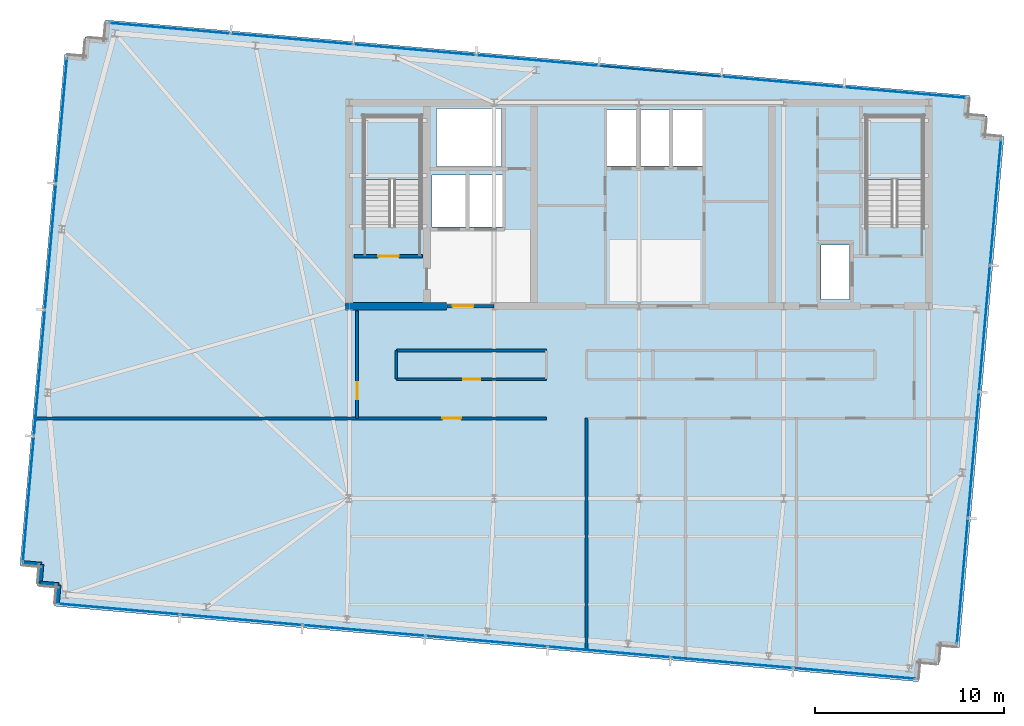
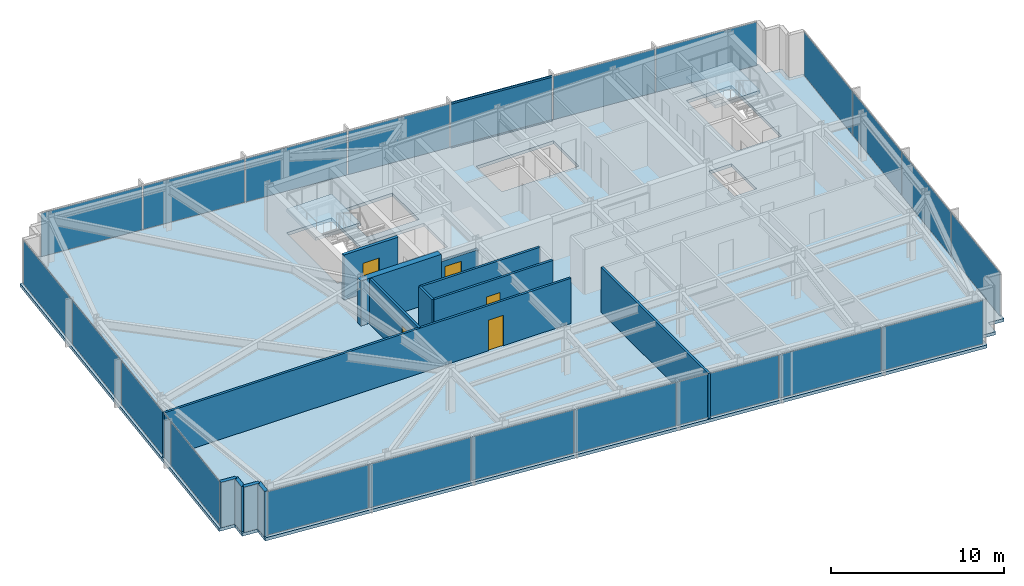
# One storey, part 26 of 32: 22 plates, 13 walls, 5 doors, 3 slabs, 2 members, 5 openings, 6 elements without a shape of their own.
"""IFC4 building model written with IfcOpenShell, lengths in metres."""

from ifc_helpers import new_model, si_unit, direction, frame, frame_2d, origin, origin_2d, place, context, subcontext, project, spatial, polyline, rectangle, hollow_rectangle, outline, extrude, material, layer, layer_set, material_profile, profile_set, type_object, element, fill, aggregate, save


model = new_model("IFC4")

# Units and contexts
model_context = context("Model", 3, precision=1e-05, world=origin(), true_north=direction((0.0, 1.0)))
body_context = subcontext(model_context, "Body", "Model", "MODEL_VIEW")
ifc_project = project(units=[si_unit("LENGTHUNIT", "METRE"), si_unit("AREAUNIT", "SQUARE_METRE"), si_unit("VOLUMEUNIT", "CUBIC_METRE"), si_unit("PLANEANGLEUNIT", "RADIAN"), si_unit("MASSUNIT", "GRAM", prefix="KILO")], contexts=[model_context])

# Site, building, storey
site_placement = place(None, origin())
site = spatial("IfcSite", under=ifc_project, at=site_placement, CompositionType="ELEMENT")
building_placement = place(site_placement, origin())
building = spatial("IfcBuilding", under=site, at=building_placement, Name="Yelkora Congress Tower", CompositionType="ELEMENT")
storey_placement = place(building_placement, frame((0.0, 0.0, 293.10009765625)))
storey = spatial("IfcBuildingStorey", under=building, at=storey_placement, Name="L82", CompositionType="ELEMENT", Elevation=293.10009765625)

# Curtain wall, members
ifc_material_1 = material(Name="Anodised aluminium and insulated glass", Category="aluminium")
curtain_wall_type = type_object("IfcCurtainWallType", Name="CW-SYS-B5", PredefinedType="NOTDEFINED", material=ifc_material_1)
curtain_wall_1_placement = place(storey_placement, origin())
curtain_wall_1 = element("IfcCurtainWall", 1, at=curtain_wall_1_placement, inside=storey, type_object=curtain_wall_type, Name="L82 Unitised Curtain Wall 10", PredefinedType="NOTDEFINED")
ifc_material_2 = material(Name="Anodised aluminium 6063-T6", Category="aluminium")
ifc_material_profile = material_profile(ifc_material_2, hollow_rectangle(XDim=0.06005859375, YDim=0.1298828125, WallThickness=0.00390625, at=origin_2d()), Name="ALU 60x130x4")
ifc_profile_set = profile_set([ifc_material_profile], Name="Anodised aluminium 6063-T6")
member_type = type_object("IfcMemberType", Name="MEM-TR-B5", PredefinedType="USERDEFINED", material=ifc_profile_set)
member_1_placement = place(storey_placement, frame((36.298583984375, 48.14794921875, 0.02978515625), z_axis=(0.996192979814, -0.08717538052, 0.0), x_axis=(0.08717538052, 0.996192979814, 0.0)))
member_1 = element("IfcMember", 2, at=member_1_placement, type_object=member_type, Name="CW-B5 transom 5.1", ObjectType="TRANSOM", PredefinedType="USERDEFINED", context=body_context, shape_type="SweptSolid", body=[
    extrude(hollow_rectangle(XDim=0.06005859375, YDim=0.1298828125, WallThickness=0.00390625, at=origin_2d()), origin(), (0.0, 0.0, 1.0), 6.466552734375),
])
member_2_placement = place(storey_placement, frame((36.298583984375, 48.14794921875, 3.14990234375), z_axis=(0.996192979814, -0.08717538052, 0.0), x_axis=(0.08717538052, 0.996192979814, 0.0)))
member_2 = element("IfcMember", 3, at=member_2_placement, type_object=member_type, Name="CW-B5 transom 5.2", ObjectType="TRANSOM", PredefinedType="USERDEFINED", context=body_context, shape_type="SweptSolid", body=[
    extrude(hollow_rectangle(XDim=0.06005859375, YDim=0.1298828125, WallThickness=0.00390625, at=origin_2d()), origin(), (0.0, 0.0, 1.0), 6.466552734375),
])

# Curtain wall, plates
curtain_wall_2_placement = place(storey_placement, origin())
curtain_wall_2 = element("IfcCurtainWall", 4, at=curtain_wall_2_placement, inside=storey, type_object=curtain_wall_type, Name="L82 Unitised Curtain Wall 5", PredefinedType="NOTDEFINED")
ifc_material_3 = material(Name="High-altitude triple glazed unit B5", Category="glass")
ifc_layer_1 = layer(ifc_material_3, 0.033935546875)
ifc_layer_set_1 = layer_set([ifc_layer_1], Name="High-altitude triple glazed unit B5")
plate_type = type_object("IfcPlateType", Name="PLT-PN-B5", PredefinedType="CURTAIN_PANEL", material=ifc_layer_set_1)
plate_1_placement = place(storey_placement, frame((6.021728515625, 25.16064453125, 0.059814453125), z_axis=(0.0, 0.0, 1.0), x_axis=(0.08715473876, 0.996194785929, 0.0)))
plate_1 = element("IfcPlate", 5, at=plate_1_placement, type_object=plate_type, Name="CW-B5 panel 1.1", PredefinedType="CURTAIN_PANEL", context=body_context, shape_type="SweptSolid", body=[
    extrude(rectangle(XDim=6.632568359375, YDim=0.033935546875, at=origin_2d()), origin(), (0.0, 0.0, 1.0), 3.06005859375),
])
plate_2_placement = place(storey_placement, frame((6.60693359375, 31.848876953125, 0.059814453125), z_axis=(0.0, 0.0, 1.0), x_axis=(0.08715473876, 0.996194785929, 0.0)))
plate_2 = element("IfcPlate", 6, at=plate_2_placement, type_object=plate_type, Name="CW-B5 panel 2.1", PredefinedType="CURTAIN_PANEL", context=body_context, shape_type="SweptSolid", body=[
    extrude(rectangle(XDim=6.6650390625, YDim=0.033935546875, at=origin_2d()), origin(), (0.0, 0.0, 1.0), 3.06005859375),
])
plate_3_placement = place(storey_placement, frame((7.193359375, 38.55322265625, 0.059814453125), z_axis=(0.0, 0.0, 1.0), x_axis=(0.08715473876, 0.996194785929, 0.0)))
plate_3 = element("IfcPlate", 7, at=plate_3_placement, type_object=plate_type, Name="CW-B5 panel 3.1", PredefinedType="CURTAIN_PANEL", context=body_context, shape_type="SweptSolid", body=[
    extrude(rectangle(XDim=6.6650390625, YDim=0.033935546875, at=origin_2d()), origin(), (0.0, 0.0, 1.0), 3.06005859375),
])
plate_4_placement = place(storey_placement, frame((7.778564453125, 45.2412109375, 0.059814453125), z_axis=(0.0, 0.0, 1.0), x_axis=(0.08715473876, 0.996194785929, 0.0)))
plate_4 = element("IfcPlate", 8, at=plate_4_placement, type_object=plate_type, Name="CW-B5 panel 4.1", PredefinedType="CURTAIN_PANEL", context=body_context, shape_type="SweptSolid", body=[
    extrude(rectangle(XDim=6.632568359375, YDim=0.033935546875, at=origin_2d()), origin(), (0.0, 0.0, 1.0), 3.06005859375),
])
aggregate(curtain_wall_2, [plate_1, plate_2, plate_3, plate_4])

# Plate
plate_5_placement = place(storey_placement, frame((13.509521484375, 50.141845703125, 0.059814453125), z_axis=(0.0, 0.0, 1.0), x_axis=(0.996194619601, -0.087156639893, 0.0)))
plate_5 = element("IfcPlate", 9, at=plate_5_placement, type_object=plate_type, Name="CW-B5 panel 1.1", PredefinedType="CURTAIN_PANEL", context=body_context, shape_type="SweptSolid", body=[
    extrude(rectangle(XDim=6.433837890625, YDim=0.033935546875, at=origin_2d()), origin(), (0.0, 0.0, 1.0), 3.06005859375),
])

plate_6_placement = place(storey_placement, frame((19.999755859375, 49.573974609375, 0.059814453125), z_axis=(0.0, 0.0, 1.0), x_axis=(0.996194619601, -0.087156639893, 0.0)))
plate_6 = element("IfcPlate", 10, at=plate_6_placement, type_object=plate_type, Name="CW-B5 panel 2.1", PredefinedType="CURTAIN_PANEL", context=body_context, shape_type="SweptSolid", body=[
    extrude(rectangle(XDim=6.46630859375, YDim=0.033935546875, at=origin_2d()), origin(), (0.0, 0.0, 1.0), 3.06005859375),
])

plate_7_placement = place(storey_placement, frame((26.50634765625, 49.004638671875, 0.059814453125), z_axis=(0.0, 0.0, 1.0), x_axis=(0.996194619601, -0.087156639893, 0.0)))
plate_7 = element("IfcPlate", 11, at=plate_7_placement, type_object=plate_type, Name="CW-B5 panel 3.1", PredefinedType="CURTAIN_PANEL", context=body_context, shape_type="SweptSolid", body=[
    extrude(rectangle(XDim=6.46630859375, YDim=0.033935546875, at=origin_2d()), origin(), (0.0, 0.0, 1.0), 3.06005859375),
])

plate_8_placement = place(storey_placement, frame((33.012939453125, 48.435302734375, 0.059814453125), z_axis=(0.0, 0.0, 1.0), x_axis=(0.996194619601, -0.087156639893, 0.0)))
plate_8 = element("IfcPlate", 12, at=plate_8_placement, type_object=plate_type, Name="CW-B5 panel 4.1", PredefinedType="CURTAIN_PANEL", context=body_context, shape_type="SweptSolid", body=[
    extrude(rectangle(XDim=6.46630859375, YDim=0.033935546875, at=origin_2d()), origin(), (0.0, 0.0, 1.0), 3.06005859375),
])

plate_9_placement = place(storey_placement, frame((39.51953125, 47.8662109375, 0.059814453125), z_axis=(0.0, 0.0, 1.0), x_axis=(0.996194619601, -0.087156639893, 0.0)))
plate_9 = element("IfcPlate", 13, at=plate_9_placement, type_object=plate_type, Name="CW-B5 panel 5.1", PredefinedType="CURTAIN_PANEL", context=body_context, shape_type="SweptSolid", body=[
    extrude(rectangle(XDim=6.46630859375, YDim=0.033935546875, at=origin_2d()), origin(), (0.0, 0.0, 1.0), 3.06005859375),
])

plate_10_placement = place(storey_placement, frame((46.026123046875, 47.296875, 0.059814453125), z_axis=(0.0, 0.0, 1.0), x_axis=(0.996194619601, -0.087156639893, 0.0)))
plate_10 = element("IfcPlate", 14, at=plate_10_placement, type_object=plate_type, Name="CW-B5 panel 6.1", PredefinedType="CURTAIN_PANEL", context=body_context, shape_type="SweptSolid", body=[
    extrude(rectangle(XDim=6.46630859375, YDim=0.033935546875, at=origin_2d()), origin(), (0.0, 0.0, 1.0), 3.06005859375),
])

plate_11_placement = place(storey_placement, frame((52.5166015625, 46.72900390625, 0.059814453125), z_axis=(0.0, 0.0, 1.0), x_axis=(0.996194619601, -0.087156639893, 0.0)))
plate_11 = element("IfcPlate", 15, at=plate_11_placement, type_object=plate_type, Name="CW-B5 panel 7.1", PredefinedType="CURTAIN_PANEL", context=body_context, shape_type="SweptSolid", body=[
    extrude(rectangle(XDim=6.433837890625, YDim=0.033935546875, at=origin_2d()), origin(), (0.0, 0.0, 1.0), 3.06005859375),
])

aggregate(curtain_wall_1, [plate_5, plate_6, plate_7, plate_8, member_1, member_2, plate_9, plate_10, plate_11])

# Curtain wall, plates
curtain_wall_3_placement = place(storey_placement, origin())
curtain_wall_3 = element("IfcCurtainWall", 16, at=curtain_wall_3_placement, inside=storey, type_object=curtain_wall_type, Name="L82 Unitised Curtain Wall 15", PredefinedType="NOTDEFINED")
plate_12_placement = place(storey_placement, frame((57.309326171875, 40.907958984375, 0.059814453125), z_axis=(0.0, 0.0, 1.0), x_axis=(-0.087158425264, -0.996194463398, 0.0)))
plate_12 = element("IfcPlate", 17, at=plate_12_placement, type_object=plate_type, Name="CW-B5 panel 1.1", PredefinedType="CURTAIN_PANEL", context=body_context, shape_type="SweptSolid", body=[
    extrude(rectangle(XDim=6.632568359375, YDim=0.033935546875, at=origin_2d()), origin(), (0.0, 0.0, 1.0), 3.06005859375),
])
plate_13_placement = place(storey_placement, frame((56.72412109375, 34.2197265625, 0.059814453125), z_axis=(0.0, 0.0, 1.0), x_axis=(-0.087158425264, -0.996194463398, 0.0)))
plate_13 = element("IfcPlate", 18, at=plate_13_placement, type_object=plate_type, Name="CW-B5 panel 2.1", PredefinedType="CURTAIN_PANEL", context=body_context, shape_type="SweptSolid", body=[
    extrude(rectangle(XDim=6.6650390625, YDim=0.033935546875, at=origin_2d()), origin(), (0.0, 0.0, 1.0), 3.06005859375),
])
plate_14_placement = place(storey_placement, frame((56.1376953125, 27.515380859375, 0.059814453125), z_axis=(0.0, 0.0, 1.0), x_axis=(-0.087158425264, -0.996194463398, 0.0)))
plate_14 = element("IfcPlate", 19, at=plate_14_placement, type_object=plate_type, Name="CW-B5 panel 3.1", PredefinedType="CURTAIN_PANEL", context=body_context, shape_type="SweptSolid", body=[
    extrude(rectangle(XDim=6.6650390625, YDim=0.033935546875, at=origin_2d()), origin(), (0.0, 0.0, 1.0), 3.06005859375),
])
plate_15_placement = place(storey_placement, frame((55.552490234375, 20.8271484375, 0.059814453125), z_axis=(0.0, 0.0, 1.0), x_axis=(-0.087158425264, -0.996194463398, 0.0)))
plate_15 = element("IfcPlate", 20, at=plate_15_placement, type_object=plate_type, Name="CW-B5 panel 4.1", PredefinedType="CURTAIN_PANEL", context=body_context, shape_type="SweptSolid", body=[
    extrude(rectangle(XDim=6.632568359375, YDim=0.033935546875, at=origin_2d()), origin(), (0.0, 0.0, 1.0), 3.06005859375),
])
aggregate(curtain_wall_3, [plate_12, plate_13, plate_14, plate_15])

curtain_wall_4_placement = place(storey_placement, origin())
curtain_wall_4 = element("IfcCurtainWall", 21, at=curtain_wall_4_placement, inside=storey, type_object=curtain_wall_type, Name="L82 Unitised Curtain Wall 20", PredefinedType="NOTDEFINED")
plate_16_placement = place(storey_placement, frame((49.821533203125, 15.9267578125, 0.059814453125), z_axis=(0.0, 0.0, 1.0), x_axis=(-0.996194602987, 0.087156829793, 0.0)))
plate_16 = element("IfcPlate", 22, at=plate_16_placement, type_object=plate_type, Name="CW-B5 panel 1.1", PredefinedType="CURTAIN_PANEL", context=body_context, shape_type="SweptSolid", body=[
    extrude(rectangle(XDim=6.433837890625, YDim=0.033935546875, at=origin_2d()), origin(), (0.0, 0.0, 1.0), 3.06005859375),
])
plate_17_placement = place(storey_placement, frame((43.331298828125, 16.49462890625, 0.059814453125), z_axis=(0.0, 0.0, 1.0), x_axis=(-0.996194602987, 0.087156829793, 0.0)))
plate_17 = element("IfcPlate", 23, at=plate_17_placement, type_object=plate_type, Name="CW-B5 panel 2.1", PredefinedType="CURTAIN_PANEL", context=body_context, shape_type="SweptSolid", body=[
    extrude(rectangle(XDim=6.46630859375, YDim=0.033935546875, at=origin_2d()), origin(), (0.0, 0.0, 1.0), 3.06005859375),
])
plate_18_placement = place(storey_placement, frame((36.82470703125, 17.06396484375, 0.059814453125), z_axis=(0.0, 0.0, 1.0), x_axis=(-0.996194602987, 0.087156829793, 0.0)))
plate_18 = element("IfcPlate", 24, at=plate_18_placement, type_object=plate_type, Name="CW-B5 panel 3.1", PredefinedType="CURTAIN_PANEL", context=body_context, shape_type="SweptSolid", body=[
    extrude(rectangle(XDim=6.46630859375, YDim=0.033935546875, at=origin_2d()), origin(), (0.0, 0.0, 1.0), 3.06005859375),
])
plate_19_placement = place(storey_placement, frame((30.318115234375, 17.633056640625, 0.059814453125), z_axis=(0.0, 0.0, 1.0), x_axis=(-0.996194602987, 0.087156829793, 0.0)))
plate_19 = element("IfcPlate", 25, at=plate_19_placement, type_object=plate_type, Name="CW-B5 panel 4.1", PredefinedType="CURTAIN_PANEL", context=body_context, shape_type="SweptSolid", body=[
    extrude(rectangle(XDim=6.46630859375, YDim=0.033935546875, at=origin_2d()), origin(), (0.0, 0.0, 1.0), 3.06005859375),
])
plate_20_placement = place(storey_placement, frame((23.8115234375, 18.202392578125, 0.059814453125), z_axis=(0.0, 0.0, 1.0), x_axis=(-0.996194602987, 0.087156829793, 0.0)))
plate_20 = element("IfcPlate", 26, at=plate_20_placement, type_object=plate_type, Name="CW-B5 panel 5.1", PredefinedType="CURTAIN_PANEL", context=body_context, shape_type="SweptSolid", body=[
    extrude(rectangle(XDim=6.46630859375, YDim=0.033935546875, at=origin_2d()), origin(), (0.0, 0.0, 1.0), 3.06005859375),
])
plate_21_placement = place(storey_placement, frame((17.304931640625, 18.771728515625, 0.059814453125), z_axis=(0.0, 0.0, 1.0), x_axis=(-0.996194602987, 0.087156829793, 0.0)))
plate_21 = element("IfcPlate", 27, at=plate_21_placement, type_object=plate_type, Name="CW-B5 panel 6.1", PredefinedType="CURTAIN_PANEL", context=body_context, shape_type="SweptSolid", body=[
    extrude(rectangle(XDim=6.46630859375, YDim=0.033935546875, at=origin_2d()), origin(), (0.0, 0.0, 1.0), 3.06005859375),
])
plate_22_placement = place(storey_placement, frame((10.814697265625, 19.33935546875, 0.059814453125), z_axis=(0.0, 0.0, 1.0), x_axis=(-0.996194602987, 0.087156829793, 0.0)))
plate_22 = element("IfcPlate", 28, at=plate_22_placement, type_object=plate_type, Name="CW-B5 panel 7.1", PredefinedType="CURTAIN_PANEL", context=body_context, shape_type="SweptSolid", body=[
    extrude(rectangle(XDim=6.433837890625, YDim=0.033935546875, at=origin_2d()), origin(), (0.0, 0.0, 1.0), 3.06005859375),
])
aggregate(curtain_wall_4, [plate_16, plate_17, plate_18, plate_19, plate_20, plate_21, plate_22])

# Stair, slab
ifc_material_4 = material(Name="Concrete C40/50", Category="concrete")
stair_type = type_object("IfcStairType", Name="STAIR-HT-1420-R20-170", PredefinedType="HALF_TURN_STAIR", material=ifc_material_4)
stair_1_placement = place(storey_placement, origin())
stair_1 = element("IfcStair", 29, at=stair_1_placement, inside=storey, type_object=stair_type, Name="West Core Protected Exit Stair ST-01 (L82)", PredefinedType="HALF_TURN_STAIR")
ifc_layer_2 = layer(ifc_material_4, 0.219970703125)
ifc_layer_set_2 = layer_set([ifc_layer_2], Name="Concrete C40/50")
slab_type_1 = type_object("IfcSlabType", Name="SLAB-LANDING-220", PredefinedType="LANDING", material=ifc_layer_set_2)
slab_1_placement = place(storey_placement, frame((0.0, 0.0, 1.47998046875)))
slab_1 = element("IfcSlab", 30, at=slab_1_placement, type_object=slab_type_1, Name="ST-01 L82 Half Landing 1", PredefinedType="LANDING", context=body_context, shape_type="SweptSolid", body=[
    extrude(outline(polyline([(26.820068359375, 42.1201171875), (26.820068359375, 45.469970703125), (23.820068359375, 45.469970703125), (23.820068359375, 42.1201171875), (26.820068359375, 42.1201171875)])), origin(), (0.0, 0.0, 1.0), 0.219970703125),
])
aggregate(stair_1, [slab_1])

stair_2_placement = place(storey_placement, origin())
stair_2 = element("IfcStair", 31, at=stair_2_placement, inside=storey, type_object=stair_type, Name="East Core Protected Exit Stair ST-02 (L82)", PredefinedType="HALF_TURN_STAIR")
slab_2_placement = place(storey_placement, frame((0.0, 0.0, 1.47998046875)))
slab_2 = element("IfcSlab", 32, at=slab_2_placement, type_object=slab_type_1, Name="ST-02 L82 Half Landing 1", PredefinedType="LANDING", context=body_context, shape_type="SweptSolid", body=[
    extrude(outline(polyline([(53.4599609375, 42.1201171875), (53.4599609375, 45.469970703125), (50.4599609375, 45.469970703125), (50.4599609375, 42.1201171875), (53.4599609375, 42.1201171875)])), origin(), (0.0, 0.0, 1.0), 0.219970703125),
])
aggregate(stair_2, [slab_2])

# Slab
ifc_layer_3 = layer(ifc_material_4, 0.219970703125)
ifc_layer_set_3 = layer_set([ifc_layer_3], Name="Concrete C40/50")
slab_type_2 = type_object("IfcSlabType", Name="SLAB-TWR-220", PredefinedType="FLOOR", material=ifc_layer_set_3)
slab_3_placement = place(storey_placement, frame((0.0, 0.0, -0.22021484375)))
element("IfcSlab", 33, at=slab_3_placement, inside=storey, type_object=slab_type_2, Name="L82 Structural Floor Slab", PredefinedType="FLOOR", context=body_context, shape_type="SweptSolid", body=[
    extrude(outline(polyline([(7.3935546875, 19.498291015625), (53.218505859375, 15.489013671875), (53.3056640625, 16.485107421875), (54.3017578125, 16.398193359375), (54.388916015625, 17.394287109375), (55.385009765625, 17.30712890625), (57.755859375, 44.403564453125), (56.759521484375, 44.49072265625), (56.8466796875, 45.487060546875), (55.8505859375, 45.57421875), (55.937744140625, 46.5703125), (10.11279296875, 50.57958984375), (10.025634765625, 49.583251953125), (9.029296875, 49.67041015625), (8.942138671875, 48.67431640625), (7.946044921875, 48.761474609375), (5.575439453125, 21.664794921875), (6.571533203125, 21.57763671875), (6.484619140625, 20.58154296875), (7.480712890625, 20.494384765625), (7.3935546875, 19.498291015625)]), holes=[polyline([(23.820068359375, 39.6298828125), (26.820068359375, 39.6298828125), (26.820068359375, 45.469970703125), (23.820068359375, 45.469970703125), (23.820068359375, 39.6298828125)]), polyline([(50.4599609375, 39.6298828125), (53.4599609375, 39.6298828125), (53.4599609375, 45.469970703125), (50.4599609375, 45.469970703125), (50.4599609375, 39.6298828125)]), polyline([(48.050048828125, 35.75), (49.550048828125, 35.75), (49.550048828125, 38.64990234375), (48.050048828125, 38.64990234375), (48.050048828125, 35.75)]), polyline([(36.64990234375, 42.85009765625), (41.800048828125, 42.85009765625), (41.800048828125, 45.800048828125), (36.64990234375, 45.800048828125), (36.64990234375, 42.85009765625)]), polyline([(27.419921875, 39.60009765625), (31.179931640625, 39.60009765625), (31.179931640625, 42.35009765625), (27.419921875, 42.35009765625), (27.419921875, 39.60009765625)]), polyline([(27.64990234375, 42.820068359375), (31.1201171875, 42.820068359375), (31.1201171875, 45.8798828125), (27.64990234375, 45.8798828125), (27.64990234375, 42.820068359375)])]), origin(), (0.0, 0.0, 1.0), 0.22021484375),
])

# Walls
ifc_material_5 = material(Name="Concrete C50/60", Category="concrete")
ifc_layer_4 = layer(ifc_material_5, 0.39990234375)
ifc_layer_set_4 = layer_set([ifc_layer_4], Name="Concrete C50/60")
wall_type_1 = type_object("IfcWallType", Name="WALL-CORE-INT-400", PredefinedType="SHEAR", material=ifc_layer_set_4)
wall_1_placement = place(storey_placement, frame((22.840087890625, 35.39990234375, 0.0), z_axis=(0.0, 0.0, 1.0), x_axis=(1.0, 0.0, 0.0)))
element("IfcWall", 34, at=wall_1_placement, inside=storey, type_object=wall_type_1, Name="L82 Rear Core South-West Shear Wall", PredefinedType="SHEAR", context=body_context, shape_type="SweptSolid", body=[
    extrude(rectangle(XDim=5.35986328125, YDim=0.39990234375, at=frame_2d((2.679931640625, 0.0))), origin(), (0.0, 0.0, 1.0), 3.179931640625),
])
ifc_layer_5 = layer(ifc_material_4, 0.239990234375)
ifc_layer_set_5 = layer_set([ifc_layer_5], Name="Concrete C40/50")
wall_type_2 = type_object("IfcWallType", Name="WALL-EXT-LIMESTONE-240", PredefinedType="SOLIDWALL", material=ifc_layer_set_5)
for number, where, z_axis, x_axis, name in (
    (35, (7.545166015625, 19.62548828125, 0.0), (0.0, 0.0, 1.0), (0.087166950281, 0.996193717496, 0.0), "L82 Serrated Corner Limestone Pier 1"),
    (36, (7.63232421875, 20.62158203125, 0.0), (0.0, 0.0, 1.0), (-0.996193717496, 0.087166950281, 0.0), "L82 Serrated Corner Limestone Pier 2"),
):
    element("IfcWall", number, at=place(storey_placement, frame(where, z_axis=z_axis, x_axis=x_axis)), inside=storey, type_object=wall_type_2, Name=name, PredefinedType="SOLIDWALL", context=body_context, shape_type="SweptSolid", body=[
        extrude(rectangle(XDim=1.0, YDim=0.239990234375, at=frame_2d((0.5, 0.0))), origin(), (0.0, 0.0, 1.0), 3.179931640625),
    ])
for number, where, z_axis, x_axis, name in (
    (37, (6.63623046875, 20.708740234375, 0.0), (0.0, 0.0, 1.0), (0.087145753297, 0.996195572005, 0.0), "L82 Serrated Corner Limestone Pier 3"),
    (38, (6.723388671875, 21.705078125, 0.0), (0.0, 0.0, 1.0), (-0.996195572005, 0.087145753297, 0.0), "L82 Serrated Corner Limestone Pier 4"),
):
    element("IfcWall", number, at=place(storey_placement, frame(where, z_axis=z_axis, x_axis=x_axis)), inside=storey, type_object=wall_type_2, Name=name, PredefinedType="SOLIDWALL", context=body_context, shape_type="SweptSolid", body=[
        extrude(rectangle(XDim=1.000244140625, YDim=0.239990234375, at=frame_2d((0.5, 0.0))), origin(), (0.0, 0.0, 1.0), 3.179931640625),
    ])
ifc_material_6 = material(Name="Acoustic metal-stud gypsum partition", Category="gypsum")
ifc_layer_6 = layer(ifc_material_6, 0.14990234375)
ifc_layer_set_6 = layer_set([ifc_layer_6], Name="Acoustic metal-stud gypsum partition")
wall_type_3 = type_object("IfcWallType", Name="WALL-INT-150-NR", PredefinedType="PARTITIONING", material=ifc_layer_set_6)
wall_2_placement = place(storey_placement, frame((35.6201171875, 17.10888671875, 0.0), z_axis=(0.0, 0.0, 1.0), x_axis=(0.0, 1.0, 0.0)))
element("IfcWall", 39, at=wall_2_placement, inside=storey, type_object=wall_type_3, Name="L82 Partition Wall 24", PredefinedType="PARTITIONING", context=body_context, shape_type="SweptSolid", body=[
    extrude(rectangle(XDim=12.361083984375, YDim=0.14990234375, at=frame_2d((6.1806640625, 0.0))), origin(), (0.0, 0.0, 1.0), 3.179931640625),
])

# Wall, opening, door
wall_3_placement = place(storey_placement, frame((6.3369140625, 29.449951171875, 0.0), z_axis=(0.0, 0.0, 1.0), x_axis=(1.0, 0.0, 0.0)))
wall_3 = element("IfcWall", 40, at=wall_3_placement, inside=storey, type_object=wall_type_3, Name="L82 South Spine Wall West", PredefinedType="PARTITIONING", context=body_context, shape_type="SweptSolid", body=[
    extrude(rectangle(XDim=27.1630859375, YDim=0.14990234375, at=frame_2d((13.58154296875, 0.0))), origin(), (0.0, 0.0, 1.0), 3.179931640625),
])
opening_1_placement = place(wall_3_placement, frame((21.63330078125, 0.0, 0.0)))
opening_1 = element("IfcOpeningElement", 41, at=opening_1_placement, cuts=wall_3, Name="Opening DR-100N", PredefinedType="OPENING", context=body_context, shape_type="SweptSolid", body=[
    extrude(rectangle(XDim=1.0, YDim=2.14990234375, at=frame_2d((0.5, 1.074951171875))), frame((0.0, 0.0849609375, 0.0), z_axis=(0.0, -1.0, 0.0), x_axis=(1.0, 0.0, 0.0)), (0.0, 0.0, 1.0), 0.169921875),
])
ifc_material_7 = material(Name="Solid-core Anatolian oak veneer door", Category="wood")
door_type_1 = type_object("IfcDoorType", Name="DOOR-INT-1000", OperationType="NOTDEFINED", PredefinedType="DOOR", material=ifc_material_7)
door_1_placement = place(opening_1_placement, origin())
door_1 = element("IfcDoor", 42, at=door_1_placement, inside=storey, type_object=door_type_1, Name="L82 Observation Sky Gallery Door", OperationType="SINGLE_SWING_LEFT", OverallHeight=2.14990234375, OverallWidth=1.0, PredefinedType="DOOR", context=body_context, shape_type="SweptSolid", body=[
    extrude(rectangle(XDim=1.0, YDim=2.14990234375, at=frame_2d((0.5, 1.074951171875))), frame((0.0, 0.02490234375, 0.0), z_axis=(0.0, -1.0, 0.0), x_axis=(1.0, 0.0, 0.0)), (0.0, 0.0, 1.0), 0.050048828125),
])
fill(opening_1, door_1)

wall_4_placement = place(storey_placement, frame((23.449951171875, 29.449951171875, 0.0), z_axis=(0.0, 0.0, 1.0), x_axis=(0.0, 1.0, 0.0)))
wall_4 = element("IfcWall", 43, at=wall_4_placement, inside=storey, type_object=wall_type_3, Name="L82 Partition Wall 29", PredefinedType="PARTITIONING", context=body_context, shape_type="SweptSolid", body=[
    extrude(rectangle(XDim=5.68994140625, YDim=0.14990234375, at=frame_2d((2.844970703125, 0.0))), origin(), (0.0, 0.0, 1.0), 3.179931640625),
])
opening_2_placement = place(wall_4_placement, frame((1.030029296875, 0.0, 0.0)))
opening_2 = element("IfcOpeningElement", 44, at=opening_2_placement, cuts=wall_4, Name="Opening DR-090N", PredefinedType="OPENING", context=body_context, shape_type="SweptSolid", body=[
    extrude(rectangle(XDim=0.89990234375, YDim=2.14990234375, at=frame_2d((0.449951171875, 1.074951171875))), frame((0.0, 0.0849609375, 0.0), z_axis=(0.0, -1.0, 0.0), x_axis=(1.0, 0.0, 0.0)), (0.0, 0.0, 1.0), 0.169921875),
])
ifc_material_8 = material(Name="Moisture-resistant laminate door leaf", Category="wood")
door_type_2 = type_object("IfcDoorType", Name="DOOR-INT-900", OperationType="NOTDEFINED", PredefinedType="DOOR", material=ifc_material_8)
door_2_placement = place(opening_2_placement, origin())
door_2 = element("IfcDoor", 45, at=door_2_placement, inside=storey, type_object=door_type_2, Name="L82 W Wing Door", OperationType="SINGLE_SWING_LEFT", OverallHeight=2.14990234375, OverallWidth=0.89990234375, PredefinedType="DOOR", context=body_context, shape_type="SweptSolid", body=[
    extrude(rectangle(XDim=0.89990234375, YDim=2.14990234375, at=frame_2d((0.449951171875, 1.074951171875))), frame((0.0, 0.02490234375, 0.0), z_axis=(0.0, -1.0, 0.0), x_axis=(1.0, 0.0, 0.0)), (0.0, 0.0, 1.0), 0.050048828125),
])
fill(opening_2, door_2)

# Walls
wall_5_placement = place(storey_placement, frame((25.530029296875, 31.530029296875, 0.0), z_axis=(0.0, 0.0, 1.0), x_axis=(0.0, 1.0, 0.0)))
element("IfcWall", 46, at=wall_5_placement, inside=storey, type_object=wall_type_3, Name="L82 Partition Wall 31", PredefinedType="PARTITIONING", context=body_context, shape_type="SweptSolid", body=[
    extrude(rectangle(XDim=1.52001953125, YDim=0.14990234375, at=frame_2d((0.760009765625, 0.0))), origin(), (0.0, 0.0, 1.0), 3.179931640625),
])
wall_6_placement = place(storey_placement, frame((25.530029296875, 33.050048828125, 0.0), z_axis=(0.0, 0.0, 1.0), x_axis=(1.0, 0.0, 0.0)))
element("IfcWall", 47, at=wall_6_placement, inside=storey, type_object=wall_type_3, Name="L82 Partition Wall 35", PredefinedType="PARTITIONING", context=body_context, shape_type="SweptSolid", body=[
    extrude(rectangle(XDim=7.969970703125, YDim=0.14990234375, at=frame_2d((3.98486328125, 0.0))), origin(), (0.0, 0.0, 1.0), 3.179931640625),
])

# Wall, opening, door
wall_7_placement = place(storey_placement, frame((25.550048828125, 31.530029296875, 0.0), z_axis=(0.0, 0.0, 1.0), x_axis=(1.0, 0.0, 0.0)))
wall_7 = element("IfcWall", 48, at=wall_7_placement, inside=storey, type_object=wall_type_3, Name="L82 Partition Wall 37", PredefinedType="PARTITIONING", context=body_context, shape_type="SweptSolid", body=[
    extrude(rectangle(XDim=7.93994140625, YDim=0.14990234375, at=frame_2d((3.969970703125, 0.0))), origin(), (0.0, 0.0, 1.0), 3.179931640625),
])
opening_3_placement = place(wall_7_placement, frame((3.52001953125, 0.0, 0.0)))
opening_3 = element("IfcOpeningElement", 49, at=opening_3_placement, cuts=wall_7, Name="Opening DR-090N", PredefinedType="OPENING", context=body_context, shape_type="SweptSolid", body=[
    extrude(rectangle(XDim=0.89990234375, YDim=2.14990234375, at=frame_2d((0.449951171875, 1.074951171875))), frame((0.0, 0.0849609375, 0.0), z_axis=(0.0, -1.0, 0.0), x_axis=(1.0, 0.0, 0.0)), (0.0, 0.0, 1.0), 0.169921875),
])
door_3_placement = place(opening_3_placement, origin())
door_3 = element("IfcDoor", 50, at=door_3_placement, inside=storey, type_object=door_type_2, Name="L82 Security Control Room Door", OperationType="SINGLE_SWING_LEFT", OverallHeight=2.14990234375, OverallWidth=0.89990234375, PredefinedType="DOOR", context=body_context, shape_type="SweptSolid", body=[
    extrude(rectangle(XDim=0.89990234375, YDim=2.14990234375, at=frame_2d((0.449951171875, 1.074951171875))), frame((0.0, 0.02490234375, 0.0), z_axis=(0.0, -1.0, 0.0), x_axis=(1.0, 0.0, 0.0)), (0.0, 0.0, 1.0), 0.050048828125),
])
fill(opening_3, door_3)

ifc_material_9 = material(Name="Autoclaved aerated concrete blockwork", Category="masonry")
ifc_layer_7 = layer(ifc_material_9, 0.199951171875)
ifc_layer_set_7 = layer_set([ifc_layer_7], Name="Autoclaved aerated concrete blockwork")
wall_type_4 = type_object("IfcWallType", Name="WALL-INT-200-R120", PredefinedType="PARTITIONING", material=ifc_layer_set_7)
wall_8_placement = place(storey_placement, frame((23.300048828125, 38.050048828125, 0.0), z_axis=(0.0, 0.0, 1.0), x_axis=(1.0, 0.0, 0.0)))
wall_8 = element("IfcWall", 51, at=wall_8_placement, inside=storey, type_object=wall_type_4, Name="L82 Stair ST-01 Enclosure Wall", PredefinedType="PARTITIONING", context=body_context, shape_type="SweptSolid", body=[
    extrude(rectangle(XDim=3.619873046875, YDim=0.199951171875, at=frame_2d((1.81005859375, 0.0))), origin(), (0.0, 0.0, 1.0), 3.179931640625),
])
opening_4_placement = place(wall_8_placement, frame((1.260009765625, 0.0, 0.0)))
opening_4 = element("IfcOpeningElement", 52, at=opening_4_placement, cuts=wall_8, Name="Opening DR-110F9", PredefinedType="OPENING", context=body_context, shape_type="SweptSolid", body=[
    extrude(rectangle(XDim=1.10009765625, YDim=2.14990234375, at=frame_2d((0.550048828125, 1.074951171875))), frame((0.0, 0.10986328125, 0.0), z_axis=(0.0, -1.0, 0.0), x_axis=(1.0, 0.0, 0.0)), (0.0, 0.0, 1.0), 0.219970703125),
])
ifc_material_10 = material(Name="Galvanised steel fire door leaf", Category="steel")
door_type_3 = type_object("IfcDoorType", Name="DOOR-FD90-1100", OperationType="NOTDEFINED", PredefinedType="DOOR", material=ifc_material_10)
door_4_placement = place(opening_4_placement, origin())
door_4 = element("IfcDoor", 53, at=door_4_placement, inside=storey, type_object=door_type_3, Name="L82 Stair ST-01 Entry Door", OperationType="SINGLE_SWING_LEFT", OverallHeight=2.14990234375, OverallWidth=1.10009765625, PredefinedType="DOOR", context=body_context, shape_type="SweptSolid", body=[
    extrude(rectangle(XDim=1.10009765625, YDim=2.14990234375, at=frame_2d((0.550048828125, 1.074951171875))), frame((0.0, 0.02490234375, 0.0), z_axis=(0.0, -1.0, 0.0), x_axis=(1.0, 0.0, 0.0)), (0.0, 0.0, 1.0), 0.050048828125),
])
fill(opening_4, door_4)

wall_9_placement = place(storey_placement, frame((28.219970703125, 35.39990234375, 0.0), z_axis=(0.0, 0.0, 1.0), x_axis=(1.0, 0.0, 0.0)))
wall_9 = element("IfcWall", 54, at=wall_9_placement, inside=storey, type_object=wall_type_4, Name="L82 Firefighting Lobby South Wall", PredefinedType="PARTITIONING", context=body_context, shape_type="SweptSolid", body=[
    extrude(rectangle(XDim=2.5, YDim=0.199951171875, at=frame_2d((1.25, 0.0))), origin(), (0.0, 0.0, 1.0), 2.574951171875),
])
opening_5_placement = place(wall_9_placement, frame((0.300048828125, 0.0, 0.0)))
opening_5 = element("IfcOpeningElement", 55, at=opening_5_placement, cuts=wall_9, Name="Opening DR-110F9", PredefinedType="OPENING", context=body_context, shape_type="SweptSolid", body=[
    extrude(rectangle(XDim=1.10009765625, YDim=2.14990234375, at=frame_2d((0.550048828125, 1.074951171875))), frame((0.0, 0.10986328125, 0.0), z_axis=(0.0, -1.0, 0.0), x_axis=(1.0, 0.0, 0.0)), (0.0, 0.0, 1.0), 0.219970703125),
])
door_5_placement = place(opening_5_placement, origin())
door_5 = element("IfcDoor", 56, at=door_5_placement, inside=storey, type_object=door_type_3, Name="L82 Firefighting Lobby Corridor Door", OperationType="SINGLE_SWING_RIGHT", OverallHeight=2.14990234375, OverallWidth=1.10009765625, PredefinedType="DOOR", context=body_context, shape_type="SweptSolid", body=[
    extrude(rectangle(XDim=1.10009765625, YDim=2.14990234375, at=frame_2d((0.550048828125, 1.074951171875))), frame((0.0, 0.02490234375, 0.0), z_axis=(0.0, -1.0, 0.0), x_axis=(1.0, 0.0, 0.0)), (0.0, 0.0, 1.0), 0.050048828125),
])
fill(opening_5, door_5)

save(model, "model.ifc")
